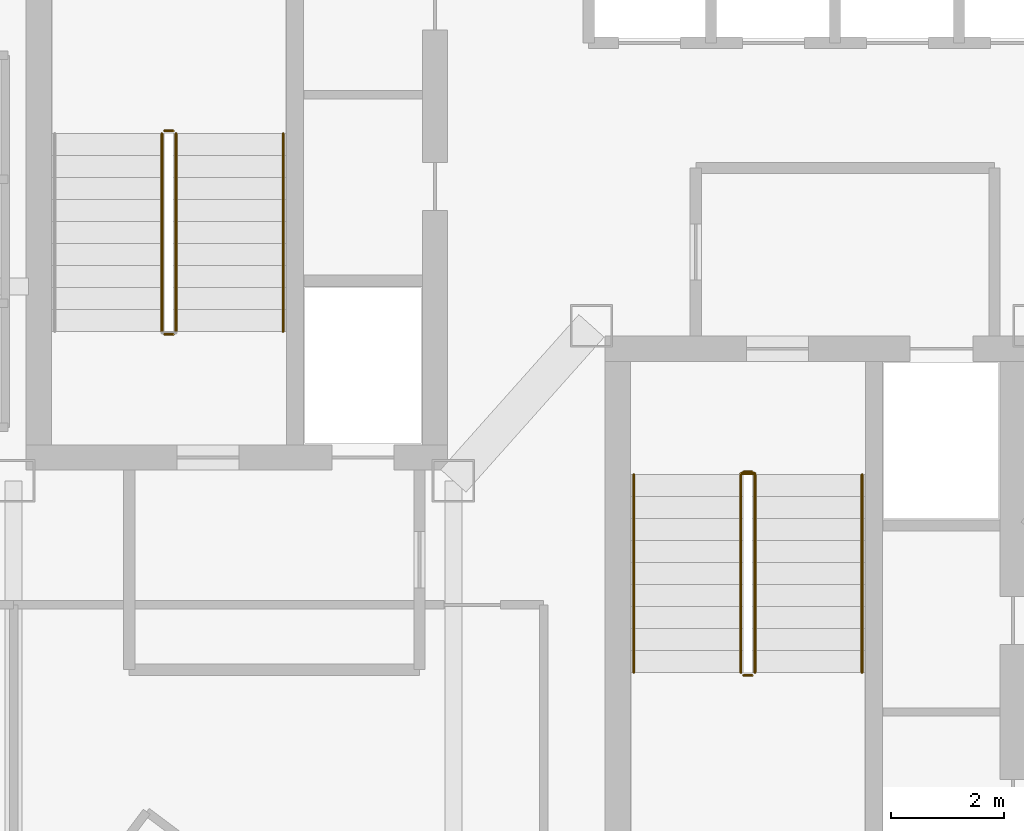
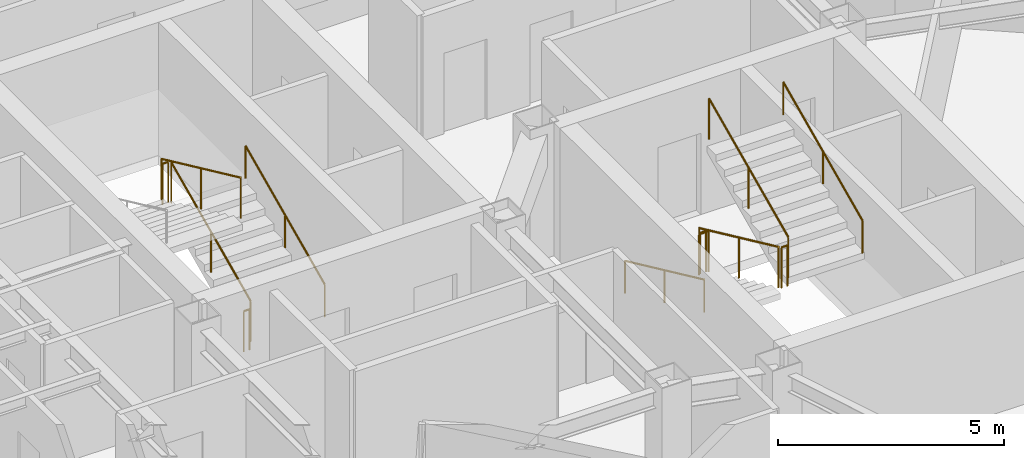
# One storey, part 23 of 24: 12 railings.
"""IFC4 building model written with IfcOpenShell, lengths in metres."""

from ifc_helpers import new_model, si_unit, direction, frame, origin, origin_2d, place, context, subcontext, project, spatial, circle, extrude, material, layer, layer_set, type_object, element, save


model = new_model("IFC4")

# Units and contexts
model_context = context("Model", 3, precision=1e-05, world=origin(), true_north=direction((0.0, 1.0)))
body_context = subcontext(model_context, "Body", "Model", "MODEL_VIEW")
ifc_project = project(units=[si_unit("LENGTHUNIT", "METRE"), si_unit("AREAUNIT", "SQUARE_METRE"), si_unit("VOLUMEUNIT", "CUBIC_METRE"), si_unit("PLANEANGLEUNIT", "RADIAN"), si_unit("MASSUNIT", "GRAM", prefix="KILO")], contexts=[model_context])

# Site, building, storey
site_placement = place(None, origin())
site = spatial("IfcSite", under=ifc_project, at=site_placement, CompositionType="ELEMENT")
building_placement = place(site_placement, origin())
building = spatial("IfcBuilding", under=site, at=building_placement, Name="Hatsunagi Terrace Concourse", CompositionType="ELEMENT")
storey_placement = place(building_placement, frame((0.0, 0.0, 191.550048828125)))
storey = spatial("IfcBuildingStorey", under=building, at=storey_placement, Name="L50", CompositionType="ELEMENT", Elevation=191.550048828125)

# Railings
ifc_material_1 = material(Name="Stainless steel", Category="steel")
ifc_layer_1 = layer(ifc_material_1, 0.044921875)
ifc_layer_set_1 = layer_set([ifc_layer_1], Name="StairPitchHandrail_Tower2000")
railing_type_1 = type_object("IfcRailingType", Name="StairPitchHandrail_Tower2000", PredefinedType="HANDRAIL", material=ifc_layer_set_1)
railing_1_placement = place(storey_placement, frame((30.330078125, 35.199951171875, 0.179931640625)))
element("IfcRailing", 1, at=railing_1_placement, inside=storey, type_object=railing_type_1, Name="L50 ST-A stair handrail 1", PredefinedType="HANDRAIL", context=body_context, shape_type="SweptSolid", body=[
    extrude(circle(Radius=0.02392578125, at=origin_2d()), frame((0.0, 0.0, 0.8759765625), z_axis=(0.0, 0.907948293929, 0.419082206198), x_axis=(-1.0, 0.0, 0.0)), (0.0, 0.0, 1.0), 3.865966796875),
    extrude(circle(Radius=0.02099609375, at=origin_2d()), origin(), (0.0, 0.0, 1.0), 0.851806640625),
    extrude(circle(Radius=0.02099609375, at=origin_2d()), frame((0.0, 1.7548828125, 0.81005859375)), (0.0, 0.0, 1.0), 0.851806640625),
    extrude(circle(Radius=0.02099609375, at=origin_2d()), frame((0.0, 3.510009765625, 1.6201171875)), (0.0, 0.0, 1.0), 0.851806640625),
])
railing_2_placement = place(storey_placement, frame((36.550048828125, 32.659912109375, 0.179931640625)))
element("IfcRailing", 2, at=railing_2_placement, inside=storey, type_object=railing_type_1, Name="L50 ST-B stair handrail 1", PredefinedType="HANDRAIL", context=body_context, shape_type="SweptSolid", body=[
    extrude(circle(Radius=0.02392578125, at=origin_2d()), frame((0.0, 0.0, 0.8759765625), z_axis=(0.0, -0.907948293929, 0.419082206198), x_axis=(1.0, 0.0, 0.0)), (0.0, 0.0, 1.0), 3.865966796875),
    extrude(circle(Radius=0.02099609375, at=origin_2d()), origin(), (0.0, 0.0, 1.0), 0.851806640625),
    extrude(circle(Radius=0.02099609375, at=origin_2d()), frame((0.0, -1.7548828125, 0.81005859375)), (0.0, 0.0, 1.0), 0.851806640625),
    extrude(circle(Radius=0.02099609375, at=origin_2d()), frame((0.0, -3.510009765625, 1.6201171875)), (0.0, 0.0, 1.0), 0.851806640625),
])
railing_3_placement = place(storey_placement, frame((40.60009765625, 29.14990234375, 1.97998046875)))
element("IfcRailing", 3, at=railing_3_placement, inside=storey, type_object=railing_type_1, Name="L50 ST-B stair handrail 2", PredefinedType="HANDRAIL", context=body_context, shape_type="SweptSolid", body=[
    extrude(circle(Radius=0.02392578125, at=origin_2d()), frame((0.0, 0.0, 0.8759765625), z_axis=(0.0, 0.907972323039, 0.419030142823), x_axis=(-1.0, 0.0, 0.0)), (0.0, 0.0, 1.0), 3.86572265625),
    extrude(circle(Radius=0.02099609375, at=origin_2d()), origin(), (0.0, 0.0, 1.0), 0.851806640625),
    extrude(circle(Radius=0.02099609375, at=origin_2d()), frame((0.0, 1.7548828125, 0.81005859375)), (0.0, 0.0, 1.0), 0.851806640625),
    extrude(circle(Radius=0.02099609375, at=origin_2d()), frame((0.0, 3.510009765625, 1.619873046875)), (0.0, 0.0, 1.0), 0.851806640625),
])
ifc_material_2 = material(Name="Stainless steel", Category="steel")
ifc_layer_2 = layer(ifc_material_2, 0.06005859375)
ifc_layer_set_2 = layer_set([ifc_layer_2], Name="StairWellGuard_Tower2000")
railing_type_2 = type_object("IfcRailingType", Name="StairWellGuard_Tower2000", PredefinedType="BALUSTRADE", material=ifc_layer_set_2)
railing_4_placement = place(storey_placement, frame((28.429931640625, 35.199951171875, 0.179931640625)))
element("IfcRailing", 4, at=railing_4_placement, inside=storey, type_object=railing_type_2, Name="L50 ST-A stair guard 1", PredefinedType="BALUSTRADE", context=body_context, shape_type="SweptSolid", body=[
    extrude(circle(Radius=0.02392578125, at=origin_2d()), frame((0.0, 0.0, 1.09619140625), z_axis=(0.0, 0.907948293929, 0.419082206198), x_axis=(-1.0, 0.0, 0.0)), (0.0, 0.0, 1.0), 3.865966796875),
    extrude(circle(Radius=0.02099609375, at=origin_2d()), origin(), (0.0, 0.0, 1.0), 1.072021484375),
    extrude(circle(Radius=0.02099609375, at=origin_2d()), frame((0.0, 1.7548828125, 0.81005859375)), (0.0, 0.0, 1.0), 1.072021484375),
    extrude(circle(Radius=0.02099609375, at=origin_2d()), frame((0.0, 3.510009765625, 1.6201171875)), (0.0, 0.0, 1.0), 1.072021484375),
])
railing_5_placement = place(storey_placement, frame((28.3798828125, 38.760009765625, 1.800048828125)))
element("IfcRailing", 5, at=railing_5_placement, inside=storey, type_object=railing_type_2, Name="L50 ST-A stair guard 2", PredefinedType="BALUSTRADE", context=body_context, shape_type="SweptSolid", body=[
    extrude(circle(Radius=0.02392578125, at=origin_2d()), frame((0.0, 0.0, 1.09619140625), z_axis=(-1.0, 0.0, 0.0), x_axis=(0.0, -1.0, 0.0)), (0.0, 0.0, 1.0), 0.14990234375),
    extrude(circle(Radius=0.02099609375, at=origin_2d()), origin(), (0.0, 0.0, 1.0), 1.072021484375),
    extrude(circle(Radius=0.02099609375, at=origin_2d()), frame((-0.14990234375, 0.0, 0.0)), (0.0, 0.0, 1.0), 1.072021484375),
])
railing_6_placement = place(storey_placement, frame((28.179931640625, 38.7099609375, 1.97998046875)))
element("IfcRailing", 6, at=railing_6_placement, inside=storey, type_object=railing_type_2, Name="L50 ST-A stair guard 3", PredefinedType="BALUSTRADE", context=body_context, shape_type="SweptSolid", body=[
    extrude(circle(Radius=0.02392578125, at=origin_2d()), frame((0.0, 0.0, 1.09619140625), z_axis=(0.0, -0.907972323039, 0.419030142823), x_axis=(1.0, 0.0, 0.0)), (0.0, 0.0, 1.0), 3.86572265625),
    extrude(circle(Radius=0.02099609375, at=origin_2d()), origin(), (0.0, 0.0, 1.0), 1.072021484375),
    extrude(circle(Radius=0.02099609375, at=origin_2d()), frame((0.0, -1.7548828125, 0.81005859375)), (0.0, 0.0, 1.0), 1.072021484375),
    extrude(circle(Radius=0.02099609375, at=origin_2d()), frame((0.0, -3.510009765625, 1.619873046875)), (0.0, 0.0, 1.0), 1.072021484375),
])
railing_7_placement = place(storey_placement, frame((28.3798828125, 35.14990234375, 0.0)))
element("IfcRailing", 7, at=railing_7_placement, inside=storey, type_object=railing_type_2, Name="L50 ST-A stair guard 4", PredefinedType="BALUSTRADE", context=body_context, shape_type="SweptSolid", body=[
    extrude(circle(Radius=0.02392578125, at=origin_2d()), frame((0.0, 0.0, 1.09619140625), z_axis=(-1.0, 0.0, 0.0), x_axis=(0.0, -1.0, 0.0)), (0.0, 0.0, 1.0), 0.14990234375),
    extrude(circle(Radius=0.02099609375, at=origin_2d()), origin(), (0.0, 0.0, 1.0), 1.072021484375),
    extrude(circle(Radius=0.02099609375, at=origin_2d()), frame((-0.14990234375, 0.0, 0.0)), (0.0, 0.0, 1.0), 1.072021484375),
])
railing_8_placement = place(storey_placement, frame((38.449951171875, 32.659912109375, 0.179931640625)))
element("IfcRailing", 8, at=railing_8_placement, inside=storey, type_object=railing_type_2, Name="L50 ST-B stair guard 1", PredefinedType="BALUSTRADE", context=body_context, shape_type="SweptSolid", body=[
    extrude(circle(Radius=0.02392578125, at=origin_2d()), frame((0.0, 0.0, 1.09619140625), z_axis=(0.0, -0.907948293929, 0.419082206198), x_axis=(1.0, 0.0, 0.0)), (0.0, 0.0, 1.0), 3.865966796875),
    extrude(circle(Radius=0.02099609375, at=origin_2d()), origin(), (0.0, 0.0, 1.0), 1.072021484375),
    extrude(circle(Radius=0.02099609375, at=origin_2d()), frame((0.0, -1.7548828125, 0.81005859375)), (0.0, 0.0, 1.0), 1.072021484375),
    extrude(circle(Radius=0.02099609375, at=origin_2d()), frame((0.0, -3.510009765625, 1.6201171875)), (0.0, 0.0, 1.0), 1.072021484375),
])
railing_9_placement = place(storey_placement, frame((38.5, 29.10009765625, 1.800048828125)))
element("IfcRailing", 9, at=railing_9_placement, inside=storey, type_object=railing_type_2, Name="L50 ST-B stair guard 2", PredefinedType="BALUSTRADE", context=body_context, shape_type="SweptSolid", body=[
    extrude(circle(Radius=0.02392578125, at=origin_2d()), frame((0.0, 0.0, 1.09619140625), z_axis=(1.0, 0.0, 0.0), x_axis=(0.0, 1.0, 0.0)), (0.0, 0.0, 1.0), 0.14990234375),
    extrude(circle(Radius=0.02099609375, at=origin_2d()), origin(), (0.0, 0.0, 1.0), 1.072021484375),
    extrude(circle(Radius=0.02099609375, at=origin_2d()), frame((0.14990234375, 0.0, 0.0)), (0.0, 0.0, 1.0), 1.072021484375),
])
railing_10_placement = place(storey_placement, frame((38.699951171875, 29.14990234375, 1.97998046875)))
element("IfcRailing", 10, at=railing_10_placement, inside=storey, type_object=railing_type_2, Name="L50 ST-B stair guard 3", PredefinedType="BALUSTRADE", context=body_context, shape_type="SweptSolid", body=[
    extrude(circle(Radius=0.02392578125, at=origin_2d()), frame((0.0, 0.0, 1.09619140625), z_axis=(0.0, 0.907972323039, 0.419030142823), x_axis=(-1.0, 0.0, 0.0)), (0.0, 0.0, 1.0), 3.86572265625),
    extrude(circle(Radius=0.02099609375, at=origin_2d()), origin(), (0.0, 0.0, 1.0), 1.072021484375),
    extrude(circle(Radius=0.02099609375, at=origin_2d()), frame((0.0, 1.7548828125, 0.81005859375)), (0.0, 0.0, 1.0), 1.072021484375),
    extrude(circle(Radius=0.02099609375, at=origin_2d()), frame((0.0, 3.510009765625, 1.619873046875)), (0.0, 0.0, 1.0), 1.072021484375),
])
railing_11_placement = place(storey_placement, frame((38.5, 32.7099609375, 0.0)))
element("IfcRailing", 11, at=railing_11_placement, inside=storey, type_object=railing_type_2, Name="L50 ST-B stair guard 4", PredefinedType="BALUSTRADE", context=body_context, shape_type="SweptSolid", body=[
    extrude(circle(Radius=0.02392578125, at=origin_2d()), frame((0.0, 0.0, 1.09619140625), z_axis=(1.0, 0.0, 0.0), x_axis=(0.0, 1.0, 0.0)), (0.0, 0.0, 1.0), 0.14990234375),
    extrude(circle(Radius=0.02099609375, at=origin_2d()), origin(), (0.0, 0.0, 1.0), 1.072021484375),
    extrude(circle(Radius=0.02099609375, at=origin_2d()), frame((0.14990234375, 0.0, 0.0)), (0.0, 0.0, 1.0), 1.072021484375),
])
ifc_material_3 = material(Name="Stainless Steel SUS316 Post-and-Rail Guard", Category="steel")
ifc_layer_3 = layer(ifc_material_3, 0.080078125)
ifc_layer_set_3 = layer_set([ifc_layer_3], Name="TerracePlantedGuardRail_1200")
railing_type_3 = type_object("IfcRailingType", Name="TerracePlantedGuardRail_1200", PredefinedType="GUARDRAIL", material=ifc_layer_set_3)
railing_12_placement = place(storey_placement, frame((38.449951171875, 32.679931640625, 0.0)))
element("IfcRailing", 12, at=railing_12_placement, inside=storey, type_object=railing_type_3, Name="Stair ST-B Well Closure Guard L50", PredefinedType="GUARDRAIL", context=body_context, shape_type="SweptSolid", body=[
    extrude(circle(Radius=0.02392578125, at=origin_2d()), frame((0.0, 0.0, 1.09619140625), z_axis=(1.0, 0.0, 0.0), x_axis=(0.0, 1.0, 0.0)), (0.0, 0.0, 1.0), 0.25),
    extrude(circle(Radius=0.02099609375, at=origin_2d()), origin(), (0.0, 0.0, 1.0), 1.072021484375),
    extrude(circle(Radius=0.02099609375, at=origin_2d()), frame((0.25, 0.0, 0.0)), (0.0, 0.0, 1.0), 1.072021484375),
])

save(model, "model.ifc")
